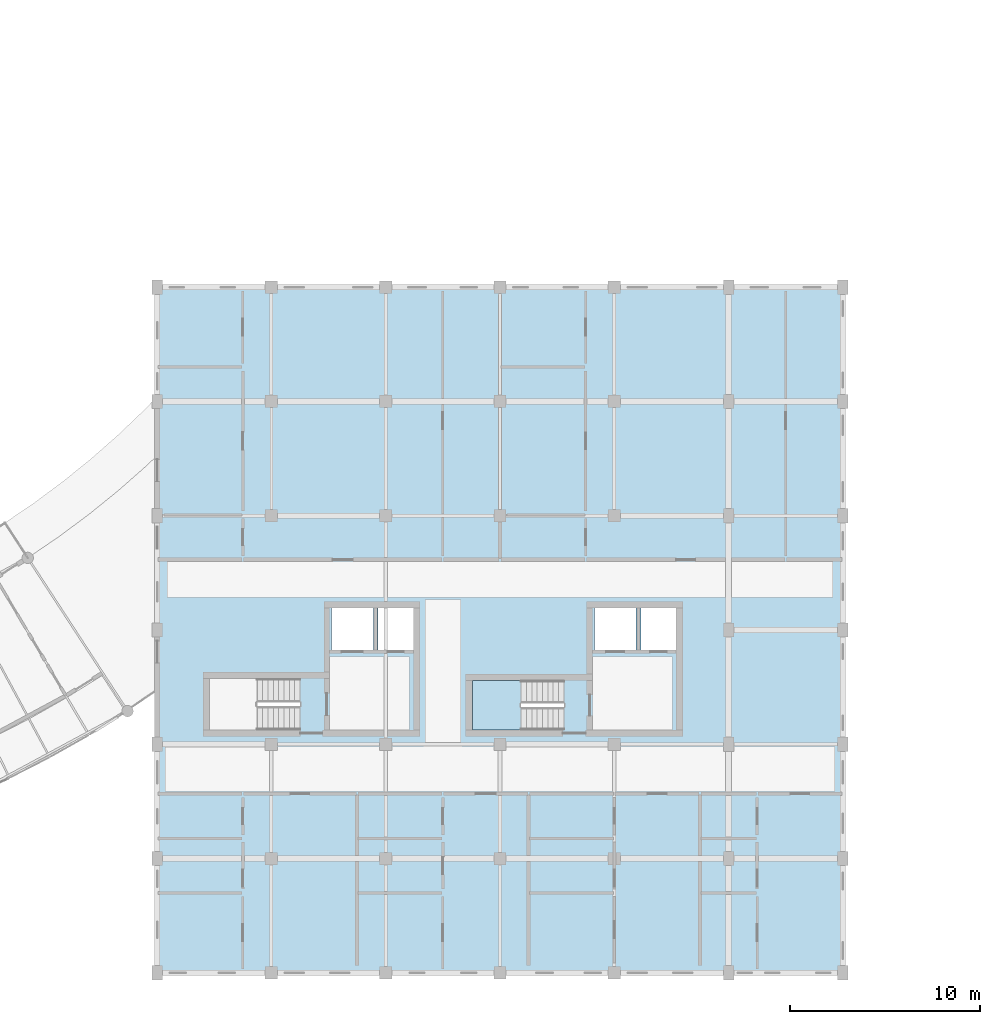
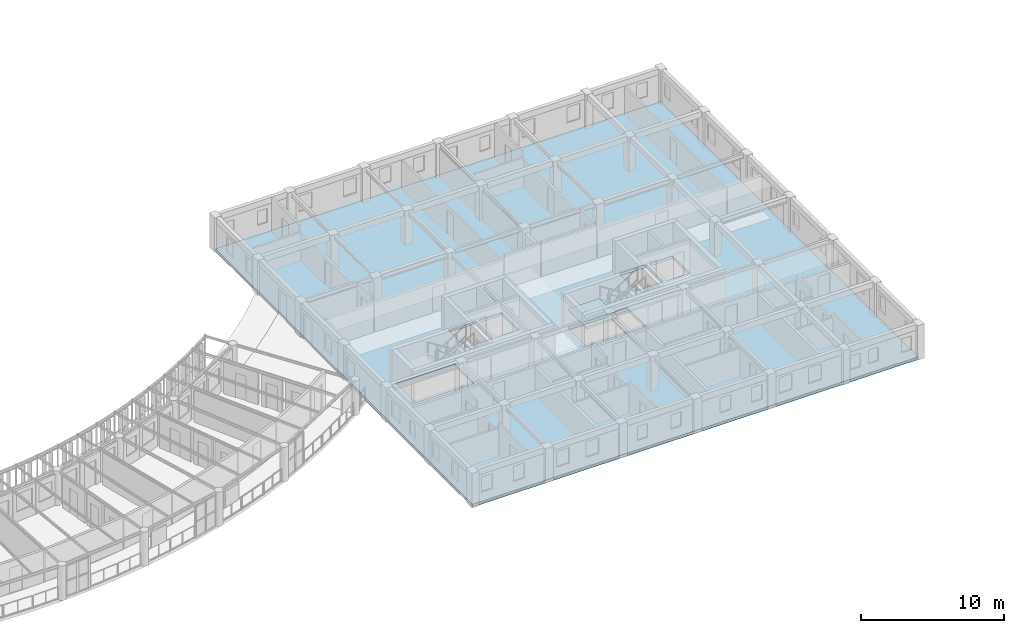
# One storey, part 47 of 100: 2 slabs, 1 element without a shape of its own.
"""IFC4 building model written with IfcOpenShell, lengths in metres."""

from ifc_helpers import new_model, si_unit, direction, frame, origin, place, context, subcontext, project, spatial, polyline, outline, extrude, material, layer, layer_set, type_object, element, aggregate, save


model = new_model("IFC4")

# Units and contexts
model_context = context("Model", 3, precision=1e-05, world=origin(), true_north=direction((0.0, 1.0)))
body_context = subcontext(model_context, "Body", "Model", "MODEL_VIEW")
ifc_project = project(units=[si_unit("LENGTHUNIT", "METRE"), si_unit("AREAUNIT", "SQUARE_METRE"), si_unit("VOLUMEUNIT", "CUBIC_METRE"), si_unit("PLANEANGLEUNIT", "RADIAN"), si_unit("MASSUNIT", "GRAM", prefix="KILO"), si_unit("POWERUNIT", "WATT"), si_unit("THERMODYNAMICTEMPERATUREUNIT", "KELVIN")], contexts=[model_context])

# Site, building, storey
site_placement = place(None, origin())
site = spatial("IfcSite", under=ifc_project, at=site_placement, CompositionType="ELEMENT")
building_placement = place(site_placement, origin())
building = spatial("IfcBuilding", under=site, at=building_placement, Name="Ruvembo Vaulted Housing Court", CompositionType="ELEMENT")
storey_placement = place(building_placement, frame((0.0, 0.0, 14.10009765625)))
storey = spatial("IfcBuildingStorey", under=building, at=storey_placement, Name="L04", CompositionType="ELEMENT", Elevation=14.10009765625)

# Slab
ifc_material_1 = material(Name="Concrete C30/37", Category="concrete")
ifc_layer_1 = layer(ifc_material_1, 0.239990234375, Name="Concrete C30/37")
ifc_layer_set_1 = layer_set([ifc_layer_1], Name="Concrete C30/37")
slab_type_1 = type_object("IfcSlabType", Name="SL-FLR-240", PredefinedType="FLOOR", material=ifc_layer_set_1)
slab_1_placement = place(storey_placement, frame((0.0, 0.0, -0.239990234375)))
element("IfcSlab", 1, at=slab_1_placement, inside=storey, type_object=slab_type_1, Name="Block C L04 Structural Floor Slab", PredefinedType="FLOOR", context=body_context, shape_type="SweptSolid", body=[
    extrude(outline(polyline([(138.0, 0.0), (138.0, 36.0), (102.0, 36.0), (102.0, 0.0), (138.0, 0.0)]), holes=[polyline([(109.5, 15.449951171875), (104.75, 15.449951171875), (104.75, 12.75), (109.5, 12.75), (109.5, 15.449951171875)]), polyline([(111.14990234375, 16.85009765625), (113.35009765625, 16.85009765625), (113.35009765625, 19.25), (111.14990234375, 19.25), (111.14990234375, 16.85009765625)]), polyline([(113.60009765625, 16.85009765625), (115.449951171875, 16.85009765625), (115.449951171875, 19.25), (113.60009765625, 19.25), (113.60009765625, 16.85009765625)]), polyline([(123.35009765625, 15.35009765625), (118.550048828125, 15.35009765625), (118.550048828125, 12.75), (123.35009765625, 12.75), (123.35009765625, 15.35009765625)]), polyline([(124.949951171875, 16.85009765625), (127.14990234375, 16.85009765625), (127.14990234375, 19.25), (124.949951171875, 19.25), (124.949951171875, 16.85009765625)]), polyline([(127.39990234375, 16.85009765625), (129.25, 16.85009765625), (129.25, 19.25), (127.39990234375, 19.25), (127.39990234375, 16.85009765625)])]), origin(), (0.0, 0.0, 1.0), 0.239990234375),
])

# Stair, slab
ifc_material_2 = material(Name="Concrete C35/45", Category="concrete")
stair_type = type_object("IfcStairType", Name="STR-CORE-1200", PredefinedType="HALF_TURN_STAIR", material=ifc_material_2)
stair_placement = place(storey_placement, origin())
stair = element("IfcStair", 2, at=stair_placement, inside=storey, type_object=stair_type, Name="L04 Protected Exit Stair ST-C2", PredefinedType="HALF_TURN_STAIR")
ifc_layer_2 = layer(ifc_material_1, 0.201904296875, Name="Concrete C30/37")
ifc_layer_set_2 = layer_set([ifc_layer_2], Name="Concrete C30/37")
slab_type_2 = type_object("IfcSlabType", Name="SL-LAND-202", PredefinedType="LANDING", material=ifc_layer_set_2)
slab_2_placement = place(storey_placement, frame((0.0, 0.0, 1.39990234375)))
slab_2 = element("IfcSlab", 3, at=slab_2_placement, type_object=slab_type_2, Name="ST-C2 landing 1", PredefinedType="LANDING", context=body_context, shape_type="SweptSolid", body=[
    extrude(outline(polyline([(121.110107421875, 15.35009765625), (118.550048828125, 15.35009765625), (118.550048828125, 12.75), (121.110107421875, 12.75), (121.110107421875, 15.35009765625)])), origin(), (0.0, 0.0, 1.0), 0.199951171875),
])
aggregate(stair, [slab_2])

save(model, "model.ifc")
